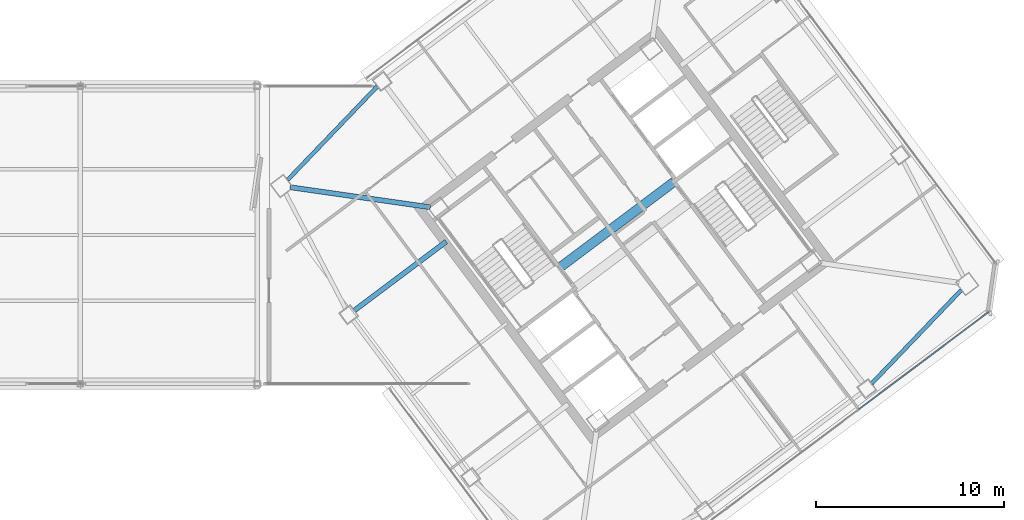
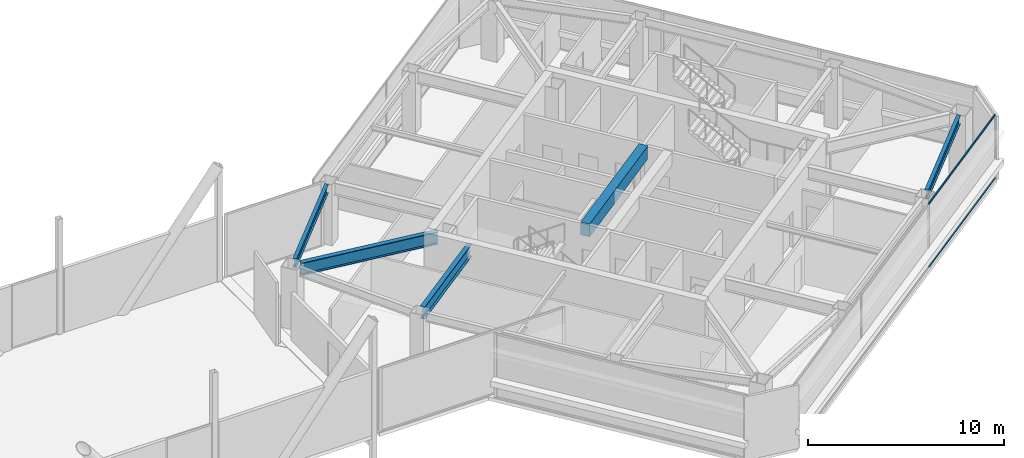
# One storey, part 34 of 53: 5 beams, 2 members, 1 element without a shape of its own.
"""IFC4 building model written with IfcOpenShell, lengths in metres."""

from ifc_helpers import new_model, si_unit, direction, frame, origin, origin_2d, place, context, subcontext, project, spatial, rectangle, hollow_rectangle, i_section, extrude, material, material_profile, profile_set, type_object, element, aggregate, save


model = new_model("IFC4")

# Units and contexts
model_context = context("Model", 3, precision=1e-05, world=origin(), true_north=direction((0.0, 1.0)))
body_context = subcontext(model_context, "Body", "Model", "MODEL_VIEW")
ifc_project = project(units=[si_unit("LENGTHUNIT", "METRE"), si_unit("AREAUNIT", "SQUARE_METRE"), si_unit("VOLUMEUNIT", "CUBIC_METRE"), si_unit("PLANEANGLEUNIT", "RADIAN"), si_unit("MASSUNIT", "GRAM", prefix="KILO")], contexts=[model_context])

# Site, building, storey
site_placement = place(None, origin())
site = spatial("IfcSite", under=ifc_project, at=site_placement, CompositionType="ELEMENT")
building_placement = place(site_placement, origin())
building = spatial("IfcBuilding", under=site, at=building_placement, Name="Tashvorn Skyway Center", CompositionType="ELEMENT")
storey_placement = place(building_placement, frame((0.0, 0.0, 255.39990234375)))
storey = spatial("IfcBuildingStorey", under=building, at=storey_placement, Name="L69", CompositionType="ELEMENT", Elevation=255.39990234375)

# Beams
ifc_material_1 = material(Name="Steel ASTM A992 Grade 50", Category="steel")
ifc_material_profile_1 = material_profile(ifc_material_1, i_section(OverallWidth=0.26708984375, OverallDepth=0.779052734375, WebThickness=0.0166015625, FlangeThickness=0.030029296875, at=origin_2d()), Name="W30X148")
ifc_profile_set_1 = profile_set([ifc_material_profile_1], Name="Steel ASTM A992 Grade 50")
beam_type_1 = type_object("IfcBeamType", Name="BM-BEAM-W30X148", PredefinedType="BEAM", material=ifc_profile_set_1)
beam_1_placement = place(storey_placement, frame((96.240478515625, 34.537109375, 3.390625), z_axis=(0.989948195795, -0.141430441004, 0.0), x_axis=(0.141430441004, 0.989948195795, 0.0)))
element("IfcBeam", 1, at=beam_1_placement, inside=storey, type_object=beam_type_1, Name="Tower 2 L69 Primary Floor Girder MC-NW", PredefinedType="BEAM", context=body_context, shape_type="SweptSolid", body=[
    extrude(i_section(OverallWidth=0.26708984375, OverallDepth=0.779052734375, WebThickness=0.0166015625, FlangeThickness=0.030029296875, at=origin_2d()), origin(), (0.0, 0.0, 1.0), 7.524658203125),
])
beam_2_placement = place(storey_placement, frame((99.656005859375, 27.991943359375, 3.390625), z_axis=(0.799980788524, 0.600025614447, 0.0), x_axis=(-0.600025614447, 0.799980788524, 0.0)))
element("IfcBeam", 2, at=beam_2_placement, inside=storey, type_object=beam_type_1, Name="Tower 2 L69 Primary Floor Girder FC-W1", PredefinedType="BEAM", context=body_context, shape_type="SweptSolid", body=[
    extrude(i_section(OverallWidth=0.26708984375, OverallDepth=0.779052734375, WebThickness=0.0166015625, FlangeThickness=0.030029296875, at=origin_2d()), origin(), (0.0, 0.0, 1.0), 6.10009765625),
])
ifc_material_2 = material(Name="Concrete C50/60", Category="concrete")
ifc_material_profile_2 = material_profile(ifc_material_2, rectangle(XDim=0.5, YDim=0.800048828125, at=origin_2d()), Name="RCB500x800")
ifc_profile_set_2 = profile_set([ifc_material_profile_2], Name="Concrete C50/60")
beam_type_2 = type_object("IfcBeamType", Name="BM-LINTEL-RCB500x800", PredefinedType="LINTEL", material=ifc_profile_set_2)
beam_3_placement = place(storey_placement, frame((110.552001953125, 30.263916015625, 3.380126953125), z_axis=(0.8, 0.6, 0.0), x_axis=(-0.6, 0.8, 0.0)))
element("IfcBeam", 3, at=beam_3_placement, inside=storey, type_object=beam_type_2, Name="Tower 2 L69 Core Coupling Beam CN", PredefinedType="LINTEL", context=body_context, shape_type="SweptSolid", body=[
    extrude(rectangle(XDim=0.5, YDim=0.800048828125, at=origin_2d()), origin(), (0.0, 0.0, 1.0), 7.60009765625),
])
ifc_material_profile_3 = material_profile(ifc_material_1, i_section(OverallWidth=0.2109375, OverallDepth=0.5390625, WebThickness=0.01171875, FlangeThickness=0.018798828125, at=origin_2d()), Name="W21X73")
ifc_profile_set_3 = profile_set([ifc_material_profile_3], Name="Steel ASTM A992 Grade 50")
beam_type_3 = type_object("IfcBeamType", Name="BM-SPANDREL-W21X73", PredefinedType="SPANDREL", material=ifc_profile_set_3)
for number, where, z_axis, x_axis, name in (
    (4, (127.1259765625, 24.107177734375, 3.510498046875), (0.692025461493, 0.721873091786, 0.0), (-0.721873091786, 0.692025461493, 0.0), "Tower 2 L69 Spandrel Beam 03"),
    (5, (100.8740234375, 39.892822265625, 3.510498046875), (-0.692025461493, -0.721873091786, 0.0), (0.721873091786, -0.692025461493, 0.0), "Tower 2 L69 Spandrel Beam 09"),
):
    element("IfcBeam", number, at=place(storey_placement, frame(where, z_axis=z_axis, x_axis=x_axis)), inside=storey, type_object=beam_type_3, Name=name, PredefinedType="SPANDREL", context=body_context, shape_type="SweptSolid", body=[
        extrude(i_section(OverallWidth=0.2109375, OverallDepth=0.5390625, WebThickness=0.01171875, FlangeThickness=0.018798828125, at=origin_2d()), origin(), (0.0, 0.0, 1.0), 6.88720703125),
    ])

# Curtain wall, members
ifc_material_3 = material(Name="Thermally broken bronze-anodized aluminium 6063-T6", Category="aluminium")
curtain_wall_type = type_object("IfcCurtainWallType", Name="CW-CW-SKY", PredefinedType="NOTDEFINED", material=ifc_material_3)
curtain_wall_placement = place(storey_placement, origin())
curtain_wall = element("IfcCurtainWall", 6, at=curtain_wall_placement, inside=storey, type_object=curtain_wall_type, Name="Tower 2 L69 South Unitised Curtain Wall", PredefinedType="NOTDEFINED")
ifc_material_profile_4 = material_profile(ifc_material_3, hollow_rectangle(XDim=0.06494140625, YDim=0.10498046875, WallThickness=0.00390625, at=origin_2d()), Name="ALU-TRAN-65x105")
ifc_profile_set_4 = profile_set([ifc_material_profile_4], Name="Thermally broken bronze-anodized aluminium 6063-T6")
member_type = type_object("IfcMemberType", Name="CWT-CW-SKY", PredefinedType="USERDEFINED", material=ifc_profile_set_4)
member_1_placement = place(storey_placement, frame((133.340087890625, 27.905029296875, 0.03271484375), z_axis=(-0.80000339763, -0.599995469799, 0.0), x_axis=(0.599995469799, -0.80000339763, 0.0)))
member_1 = element("IfcMember", 7, at=member_1_placement, type_object=member_type, Name="CW-SKY transom 1.1", ObjectType="TRANSOM", PredefinedType="USERDEFINED", context=body_context, shape_type="SweptSolid", body=[
    extrude(hollow_rectangle(XDim=0.06494140625, YDim=0.10498046875, WallThickness=0.00390625, at=origin_2d()), origin(), (0.0, 0.0, 1.0), 8.622802734375),
])
member_2_placement = place(storey_placement, frame((133.340087890625, 27.905029296875, 3.967529296875), z_axis=(-0.80000339763, -0.599995469799, 0.0), x_axis=(0.599995469799, -0.80000339763, 0.0)))
member_2 = element("IfcMember", 8, at=member_2_placement, type_object=member_type, Name="CW-SKY transom 1.2", ObjectType="TRANSOM", PredefinedType="USERDEFINED", context=body_context, shape_type="SweptSolid", body=[
    extrude(hollow_rectangle(XDim=0.06494140625, YDim=0.10498046875, WallThickness=0.00390625, at=origin_2d()), origin(), (0.0, 0.0, 1.0), 8.622802734375),
])
aggregate(curtain_wall, [member_1, member_2])

save(model, "model.ifc")
